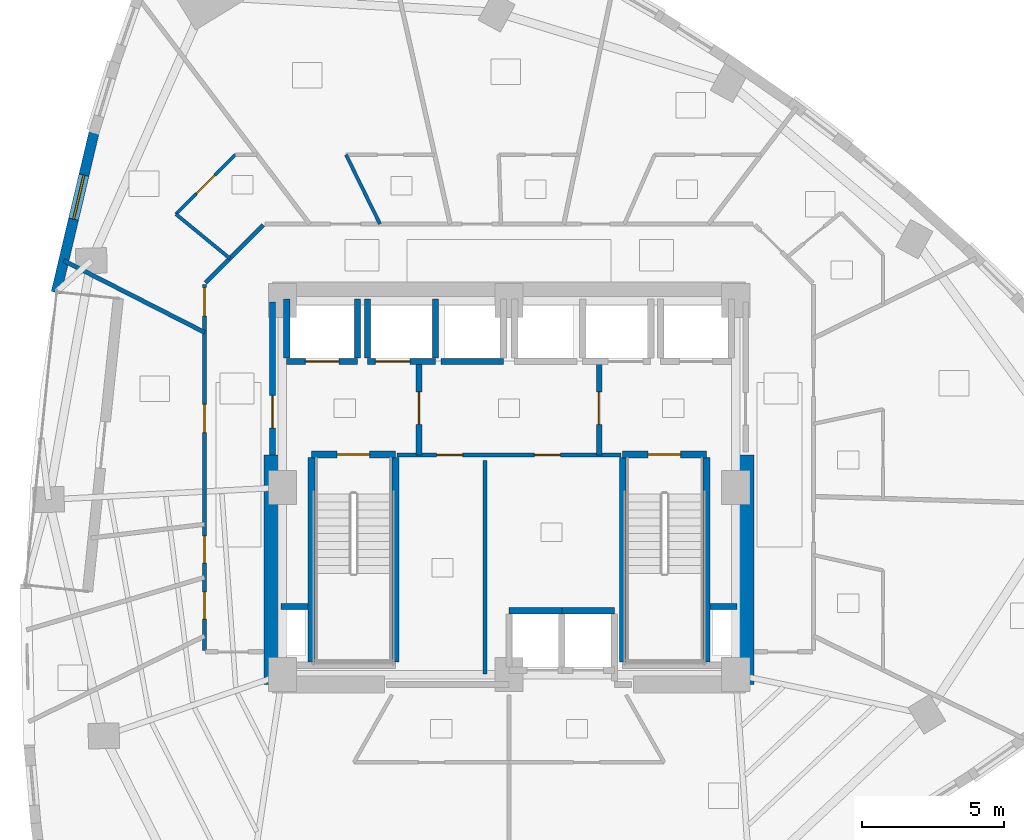
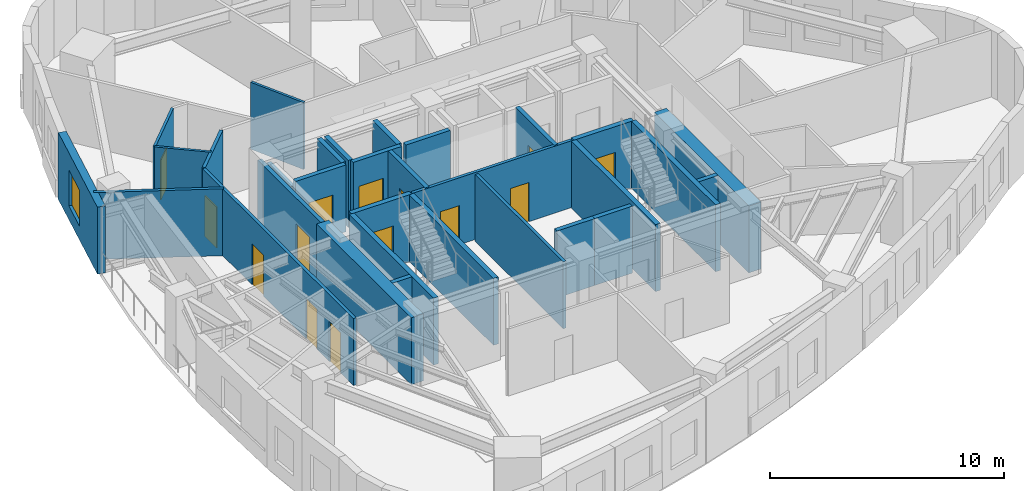
# One storey, part 6 of 12: 31 walls, 14 doors, 1 window, 15 openings.
"""IFC4 building model written with IfcOpenShell, lengths in metres."""

from ifc_helpers import new_model, si_unit, direction, frame, frame_2d, origin, place, context, subcontext, project, spatial, rectangle, extrude, material, layer, layer_set, type_object, element, fill, save


model = new_model("IFC4")

# Units and contexts
model_context = context("Model", 3, precision=1e-05, world=origin(), true_north=direction((0.0, 1.0)))
body_context = subcontext(model_context, "Body", "Model", "MODEL_VIEW")
ifc_project = project(units=[si_unit("LENGTHUNIT", "METRE"), si_unit("AREAUNIT", "SQUARE_METRE"), si_unit("VOLUMEUNIT", "CUBIC_METRE"), si_unit("PLANEANGLEUNIT", "RADIAN"), si_unit("MASSUNIT", "GRAM", prefix="KILO")], contexts=[model_context])

# Site, building, storey
site_placement = place(None, origin())
site = spatial("IfcSite", under=ifc_project, at=site_placement, CompositionType="ELEMENT")
building_placement = place(site_placement, origin())
building = spatial("IfcBuilding", under=site, at=building_placement, Name="Ndelora Gate Hotel", CompositionType="ELEMENT")
storey_placement = place(building_placement, frame((0.0, 0.0, 101.0)))
storey = spatial("IfcBuildingStorey", under=building, at=storey_placement, Name="L24", CompositionType="ELEMENT", Elevation=101.0)

# Wall, opening, window
ifc_material_1 = material(Name="Clay Brick Masonry", Category="masonry")
ifc_layer_1 = layer(ifc_material_1, 0.360107421875)
ifc_layer_set_1 = layer_set([ifc_layer_1], Name="Clay Brick Masonry")
wall_type_1 = type_object("IfcWallType", Name="WL-BRICK-360", PredefinedType="SOLIDWALL", material=ifc_layer_set_1)
wall_1_placement = place(storey_placement, frame((-15.98681640625, 6.884033203125, 0.0), z_axis=(0.0, 0.0, 1.0), x_axis=(0.229945366281, 0.973203539105, 0.0)))
wall_1 = element("IfcWall", 1, at=wall_1_placement, inside=storey, type_object=wall_type_1, Name="L24 Tower Brick Pier-and-Spandrel Wall TWR-11", PredefinedType="SOLIDWALL", context=body_context, shape_type="SweptSolid", body=[
    extrude(rectangle(XDim=5.826904296875, YDim=0.360107421875, at=frame_2d((2.91357421875, 0.0))), origin(), (0.0, 0.0, 1.0), 3.5),
])
opening_1_placement = place(wall_1_placement, frame((2.659912109375, 0.0, 0.719970703125)))
opening_1 = element("IfcOpeningElement", 2, at=opening_1_placement, cuts=wall_1, Name="Opening W01", PredefinedType="OPENING", context=body_context, shape_type="SweptSolid", body=[
    extrude(rectangle(XDim=1.60009765625, YDim=1.8798828125, at=frame_2d((0.800048828125, 0.93994140625))), frame((0.0, 0.18994140625, 0.0), z_axis=(0.0, -1.0, 0.0), x_axis=(1.0, 0.0, 0.0)), (0.0, 0.0, 1.0), 0.380126953125),
])
ifc_material_2 = material(Name="Insulated Low-E Double Glazing in Bronze Aluminium Frame", Category="aluminium")
window_type = type_object("IfcWindowType", Name="WN-DEEP-1600", PartitioningType="SINGLE_PANEL", PredefinedType="WINDOW", material=ifc_material_2)
window_placement = place(opening_1_placement, origin())
window = element("IfcWindow", 3, at=window_placement, inside=storey, type_object=window_type, Name="L24 Deep-Set Brick-Pier Window W01", OverallHeight=1.8798828125, OverallWidth=1.60009765625, PartitioningType="SINGLE_PANEL", PredefinedType="WINDOW", context=body_context, shape_type="SweptSolid", body=[
    extrude(rectangle(XDim=1.60009765625, YDim=1.8798828125, at=frame_2d((0.800048828125, 0.93994140625))), frame((0.0, 0.030029296875, 0.0), z_axis=(0.0, -1.0, 0.0), x_axis=(1.0, 0.0, 0.0)), (0.0, 0.0, 1.0), 0.06005859375),
])
fill(opening_1, window)

# Walls
ifc_material_3 = material(Name="Concrete C60/75", Category="concrete")
ifc_layer_2 = layer(ifc_material_3, 0.60009765625)
ifc_layer_set_2 = layer_set([ifc_layer_2], Name="Concrete C60/75")
wall_type_2 = type_object("IfcWallType", Name="WL-CORE-600", PredefinedType="SHEAR", material=ifc_layer_set_2)
for number, where, z_axis, x_axis, name in (
    (4, (-8.35009765625, -6.949951171875, 0.0), (0.0, 0.0, 1.0), (0.0, 1.0, 0.0), "L24 Core Shear Wall W"),
    (5, (8.35009765625, -6.949951171875, 0.0), (0.0, 0.0, 1.0), (0.0, 1.0, 0.0), "L24 Core Shear Wall E"),
):
    element("IfcWall", number, at=place(storey_placement, frame(where, z_axis=z_axis, x_axis=x_axis)), inside=storey, type_object=wall_type_2, Name=name, PredefinedType="SHEAR", context=body_context, shape_type="SweptSolid", body=[
        extrude(rectangle(XDim=8.099853515625, YDim=0.60009765625, at=frame_2d((4.0498046875, 0.0))), origin(), (0.0, 0.0, 1.0), 3.5),
    ])

# Wall, opening, door
ifc_material_4 = material(Name="Concrete C40/50", Category="concrete")
ifc_layer_3 = layer(ifc_material_4, 0.199951171875)
ifc_layer_set_3 = layer_set([ifc_layer_3], Name="Concrete C40/50")
wall_type_3 = type_object("IfcWallType", Name="WL-FIRE-200", PredefinedType="PARTITIONING", material=ifc_layer_set_3)
wall_2_placement = place(storey_placement, frame((-3.179931640625, 1.14990234375, 0.0), z_axis=(0.0, 0.0, 1.0), x_axis=(0.0, 1.0, 0.0)))
wall_2 = element("IfcWall", 6, at=wall_2_placement, inside=storey, type_object=wall_type_3, Name="L24 Interior Wall IW-2", PredefinedType="PARTITIONING", context=body_context, shape_type="SweptSolid", body=[
    extrude(rectangle(XDim=3.300048828125, YDim=0.199951171875, at=frame_2d((1.64990234375, 0.0))), origin(), (0.0, 0.0, 1.0), 3.5),
])
opening_2_placement = place(wall_2_placement, frame((1.080078125, 0.0, 0.0)))
opening_2 = element("IfcOpeningElement", 7, at=opening_2_placement, cuts=wall_2, Name="Opening FD1", PredefinedType="OPENING", context=body_context, shape_type="SweptSolid", body=[
    extrude(rectangle(XDim=1.14990234375, YDim=2.14990234375, at=frame_2d((0.574951171875, 1.074951171875))), frame((0.0, 0.10986328125, 0.0), z_axis=(0.0, -1.0, 0.0), x_axis=(1.0, 0.0, 0.0)), (0.0, 0.0, 1.0), 0.219970703125),
])
ifc_material_5 = material(Name="Fire-Rated Timber-Veneer Steel Core", Category="steel")
door_type_1 = type_object("IfcDoorType", Name="DR-FD60", OperationType="SINGLE_SWING_LEFT", PredefinedType="DOOR", material=ifc_material_5)
door_1_placement = place(opening_2_placement, origin())
door_1 = element("IfcDoor", 8, at=door_1_placement, inside=storey, type_object=door_type_1, Name="L24 Firefighting Lobby West Door", OperationType="SINGLE_SWING_RIGHT", OverallHeight=2.14990234375, OverallWidth=1.14990234375, PredefinedType="DOOR", context=body_context, shape_type="SweptSolid", body=[
    extrude(rectangle(XDim=1.14990234375, YDim=2.14990234375, at=frame_2d((0.574951171875, 1.074951171875))), frame((0.0, 0.02490234375, 0.0), z_axis=(0.0, -1.0, 0.0), x_axis=(1.0, 0.0, 0.0)), (0.0, 0.0, 1.0), 0.050048828125),
])
fill(opening_2, door_1)

wall_3_placement = place(storey_placement, frame((3.179931640625, 1.14990234375, 0.0), z_axis=(0.0, 0.0, 1.0), x_axis=(0.0, 1.0, 0.0)))
wall_3 = element("IfcWall", 9, at=wall_3_placement, inside=storey, type_object=wall_type_3, Name="L24 Interior Wall IW-2", PredefinedType="PARTITIONING", context=body_context, shape_type="SweptSolid", body=[
    extrude(rectangle(XDim=3.300048828125, YDim=0.199951171875, at=frame_2d((1.64990234375, 0.0))), origin(), (0.0, 0.0, 1.0), 3.5),
])
opening_3_placement = place(wall_3_placement, frame((1.080078125, 0.0, 0.0)))
opening_3 = element("IfcOpeningElement", 10, at=opening_3_placement, cuts=wall_3, Name="Opening FD1", PredefinedType="OPENING", context=body_context, shape_type="SweptSolid", body=[
    extrude(rectangle(XDim=1.14990234375, YDim=2.14990234375, at=frame_2d((0.574951171875, 1.074951171875))), frame((0.0, 0.10986328125, 0.0), z_axis=(0.0, -1.0, 0.0), x_axis=(1.0, 0.0, 0.0)), (0.0, 0.0, 1.0), 0.219970703125),
])
door_2_placement = place(opening_3_placement, origin())
door_2 = element("IfcDoor", 11, at=door_2_placement, inside=storey, type_object=door_type_1, Name="L24 Firefighting Lobby East Door", OperationType="SINGLE_SWING_LEFT", OverallHeight=2.14990234375, OverallWidth=1.14990234375, PredefinedType="DOOR", context=body_context, shape_type="SweptSolid", body=[
    extrude(rectangle(XDim=1.14990234375, YDim=2.14990234375, at=frame_2d((0.574951171875, 1.074951171875))), frame((0.0, 0.02490234375, 0.0), z_axis=(0.0, -1.0, 0.0), x_axis=(1.0, 0.0, 0.0)), (0.0, 0.0, 1.0), 0.050048828125),
])
fill(opening_3, door_2)

wall_4_placement = place(storey_placement, frame((-8.35009765625, 1.14990234375, 0.0), z_axis=(0.0, 0.0, 1.0), x_axis=(0.0, 1.0, 0.0)))
wall_4 = element("IfcWall", 12, at=wall_4_placement, inside=storey, type_object=wall_type_3, Name="L24 Interior Wall IW-2", PredefinedType="PARTITIONING", context=body_context, shape_type="SweptSolid", body=[
    extrude(rectangle(XDim=5.400146484375, YDim=0.199951171875, at=frame_2d((2.7001953125, 0.0))), origin(), (0.0, 0.0, 1.0), 3.5),
])
opening_4_placement = place(wall_4_placement, frame((0.949951171875, 0.0, 0.0)))
opening_4 = element("IfcOpeningElement", 13, at=opening_4_placement, cuts=wall_4, Name="Opening FD1", PredefinedType="OPENING", context=body_context, shape_type="SweptSolid", body=[
    extrude(rectangle(XDim=1.14990234375, YDim=2.14990234375, at=frame_2d((0.574951171875, 1.074951171875))), frame((0.0, 0.10986328125, 0.0), z_axis=(0.0, -1.0, 0.0), x_axis=(1.0, 0.0, 0.0)), (0.0, 0.0, 1.0), 0.219970703125),
])
door_3_placement = place(opening_4_placement, origin())
door_3 = element("IfcDoor", 14, at=door_3_placement, inside=storey, type_object=door_type_1, Name="L24 Firefighting Lobby West Corridor Door", OperationType="SINGLE_SWING_LEFT", OverallHeight=2.14990234375, OverallWidth=1.14990234375, PredefinedType="DOOR", context=body_context, shape_type="SweptSolid", body=[
    extrude(rectangle(XDim=1.14990234375, YDim=2.14990234375, at=frame_2d((0.574951171875, 1.074951171875))), frame((0.0, 0.02490234375, 0.0), z_axis=(0.0, -1.0, 0.0), x_axis=(1.0, 0.0, 0.0)), (0.0, 0.0, 1.0), 0.050048828125),
])
fill(opening_4, door_3)

# Wall, openings, doors
ifc_material_6 = material(Name="Fire-Rated Gypsum Stud Partition", Category="gypsum")
ifc_layer_4 = layer(ifc_material_6, 0.14990234375)
ifc_layer_set_4 = layer_set([ifc_layer_4], Name="Fire-Rated Gypsum Stud Partition")
wall_type_4 = type_object("IfcWallType", Name="WL-PART-150", PredefinedType="PARTITIONING", material=ifc_layer_set_4)
wall_5_placement = place(storey_placement, frame((3.949951171875, 1.14990234375, 0.0), z_axis=(0.0, 0.0, 1.0), x_axis=(-1.0, 0.0, 0.0)))
wall_5 = element("IfcWall", 15, at=wall_5_placement, inside=storey, type_object=wall_type_4, Name="L24 Interior Wall IW-5", PredefinedType="PARTITIONING", context=body_context, shape_type="SweptSolid", body=[
    extrude(rectangle(XDim=7.89990234375, YDim=0.14990234375, at=frame_2d((3.949951171875, 0.0))), origin(), (0.0, 0.0, 1.0), 3.5),
])
opening_5_placement = place(wall_5_placement, frame((5.590087890625, 0.0, 0.0)))
opening_5 = element("IfcOpeningElement", 16, at=opening_5_placement, cuts=wall_5, Name="Opening D04", PredefinedType="OPENING", context=body_context, shape_type="SweptSolid", body=[
    extrude(rectangle(XDim=0.919921875, YDim=2.050048828125, at=frame_2d((0.4599609375, 1.02490234375))), frame((0.0, 0.0849609375, 0.0), z_axis=(0.0, -1.0, 0.0), x_axis=(1.0, 0.0, 0.0)), (0.0, 0.0, 1.0), 0.169921875),
])
opening_6_placement = place(wall_5_placement, frame((2.139892578125, 0.0, 0.0)))
opening_6 = element("IfcOpeningElement", 17, at=opening_6_placement, cuts=wall_5, Name="Opening D04", PredefinedType="OPENING", context=body_context, shape_type="SweptSolid", body=[
    extrude(rectangle(XDim=0.919921875, YDim=2.050048828125, at=frame_2d((0.4599609375, 1.02490234375))), frame((0.0, 0.0849609375, 0.0), z_axis=(0.0, -1.0, 0.0), x_axis=(1.0, 0.0, 0.0)), (0.0, 0.0, 1.0), 0.169921875),
])
ifc_material_7 = material(Name="Painted Steel Core Service Door", Category="steel")
door_type_2 = type_object("IfcDoorType", Name="DR-SER-920", OperationType="SINGLE_SWING_LEFT", PredefinedType="DOOR", material=ifc_material_7)
door_4_placement = place(opening_5_placement, origin())
door_4 = element("IfcDoor", 18, at=door_4_placement, inside=storey, type_object=door_type_2, Name="L24 Core Electrical Switchroom Door", OperationType="SINGLE_SWING_LEFT", OverallHeight=2.050048828125, OverallWidth=0.919921875, PredefinedType="DOOR", context=body_context, shape_type="SweptSolid", body=[
    extrude(rectangle(XDim=0.919921875, YDim=2.050048828125, at=frame_2d((0.4599609375, 1.02490234375))), frame((0.0, 0.02490234375, 0.0), z_axis=(0.0, -1.0, 0.0), x_axis=(1.0, 0.0, 0.0)), (0.0, 0.0, 1.0), 0.050048828125),
])
fill(opening_5, door_4)
door_5_placement = place(opening_6_placement, origin())
door_5 = element("IfcDoor", 19, at=door_5_placement, inside=storey, type_object=door_type_2, Name="L24 Central Linen Equipment Store Door", OperationType="SINGLE_SWING_RIGHT", OverallHeight=2.050048828125, OverallWidth=0.919921875, PredefinedType="DOOR", context=body_context, shape_type="SweptSolid", body=[
    extrude(rectangle(XDim=0.919921875, YDim=2.050048828125, at=frame_2d((0.4599609375, 1.02490234375))), frame((0.0, 0.02490234375, 0.0), z_axis=(0.0, -1.0, 0.0), x_axis=(1.0, 0.0, 0.0)), (0.0, 0.0, 1.0), 0.050048828125),
])
fill(opening_6, door_5)

# Walls
wall_6_placement = place(storey_placement, frame((-0.85009765625, -6.580078125, 0.0), z_axis=(0.0, 0.0, 1.0), x_axis=(0.0, 1.0, 0.0)))
element("IfcWall", 20, at=wall_6_placement, inside=storey, type_object=wall_type_4, Name="L24 Interior Wall IW-5", PredefinedType="PARTITIONING", context=body_context, shape_type="SweptSolid", body=[
    extrude(rectangle(XDim=7.530029296875, YDim=0.14990234375, at=frame_2d((3.76513671875, 0.0))), origin(), (0.0, 0.0, 1.0), 3.5),
])
wall_7_placement = place(storey_placement, frame((-10.7216796875, 7.228271484375, 0.0), z_axis=(0.0, 0.0, 1.0), x_axis=(0.707106781187, 0.707106781187, 0.0)))
element("IfcWall", 21, at=wall_7_placement, inside=storey, type_object=wall_type_4, Name="L24 Interior Wall IW-5", PredefinedType="PARTITIONING", context=body_context, shape_type="SweptSolid", body=[
    extrude(rectangle(XDim=2.889892578125, YDim=0.14990234375, at=frame_2d((1.44482421875, 0.0))), origin(), (0.0, 0.0, 1.0), 3.5),
])

# Wall, openings, doors
wall_8_placement = place(storey_placement, frame((-10.75, -5.760009765625, 0.0), z_axis=(0.0, 0.0, 1.0), x_axis=(0.0, 1.0, 0.0)))
wall_8 = element("IfcWall", 22, at=wall_8_placement, inside=storey, type_object=wall_type_4, Name="L24 Interior Wall IW-5", PredefinedType="PARTITIONING", context=body_context, shape_type="SweptSolid", body=[
    extrude(rectangle(XDim=12.919921875, YDim=0.14990234375, at=frame_2d((6.4599609375, 0.0))), origin(), (0.0, 0.0, 1.0), 3.5),
])
opening_7_placement = place(wall_8_placement, frame((3.096435546875, 0.0, 0.0)))
opening_7 = element("IfcOpeningElement", 23, at=opening_7_placement, cuts=wall_8, Name="Opening D05", PredefinedType="OPENING", context=body_context, shape_type="SweptSolid", body=[
    extrude(rectangle(XDim=0.949951171875, YDim=2.10009765625, at=frame_2d((0.47509765625, 1.050048828125))), frame((0.0, 0.0849609375, 0.0), z_axis=(0.0, -1.0, 0.0), x_axis=(1.0, 0.0, 0.0)), (0.0, 0.0, 1.0), 0.169921875),
])
opening_8_placement = place(wall_8_placement, frame((1.1181640625, 0.0, 0.0)))
opening_8 = element("IfcOpeningElement", 24, at=opening_8_placement, cuts=wall_8, Name="Opening D05", PredefinedType="OPENING", context=body_context, shape_type="SweptSolid", body=[
    extrude(rectangle(XDim=0.949951171875, YDim=2.10009765625, at=frame_2d((0.47509765625, 1.050048828125))), frame((0.0, 0.0849609375, 0.0), z_axis=(0.0, -1.0, 0.0), x_axis=(1.0, 0.0, 0.0)), (0.0, 0.0, 1.0), 0.169921875),
])
opening_9_placement = place(wall_8_placement, frame((7.69921875, 0.0, 0.0)))
opening_9 = element("IfcOpeningElement", 25, at=opening_9_placement, cuts=wall_8, Name="Opening D01", PredefinedType="OPENING", context=body_context, shape_type="SweptSolid", body=[
    extrude(rectangle(XDim=1.0, YDim=2.14990234375, at=frame_2d((0.5, 1.074951171875))), frame((0.0, 0.0849609375, 0.0), z_axis=(0.0, -1.0, 0.0), x_axis=(1.0, 0.0, 0.0)), (0.0, 0.0, 1.0), 0.169921875),
])
opening_10_placement = place(wall_8_placement, frame((11.818603515625, 0.0, 0.0)))
opening_10 = element("IfcOpeningElement", 26, at=opening_10_placement, cuts=wall_8, Name="Opening D01", PredefinedType="OPENING", context=body_context, shape_type="SweptSolid", body=[
    extrude(rectangle(XDim=1.0, YDim=2.14990234375, at=frame_2d((0.5, 1.074951171875))), frame((0.0, 0.0849609375, 0.0), z_axis=(0.0, -1.0, 0.0), x_axis=(1.0, 0.0, 0.0)), (0.0, 0.0, 1.0), 0.169921875),
])
ifc_material_8 = material(Name="Accessible Restroom Wide-Clearance Door", Category="wood")
door_type_3 = type_object("IfcDoorType", Name="DR-ACC-950", OperationType="SINGLE_SWING_LEFT", PredefinedType="DOOR", material=ifc_material_8)
door_6_placement = place(opening_7_placement, origin())
door_6 = element("IfcDoor", 27, at=door_6_placement, inside=storey, type_object=door_type_3, Name="L24 Accessible WC Entrance Door", OperationType="SINGLE_SWING_RIGHT", OverallHeight=2.10009765625, OverallWidth=0.949951171875, PredefinedType="DOOR", context=body_context, shape_type="SweptSolid", body=[
    extrude(rectangle(XDim=0.949951171875, YDim=2.10009765625, at=frame_2d((0.47509765625, 1.050048828125))), frame((0.0, 0.02490234375, 0.0), z_axis=(0.0, -1.0, 0.0), x_axis=(1.0, 0.0, 0.0)), (0.0, 0.0, 1.0), 0.050048828125),
])
fill(opening_7, door_6)
door_7_placement = place(opening_8_placement, origin())
door_7 = element("IfcDoor", 28, at=door_7_placement, inside=storey, type_object=door_type_3, Name="L24 Female Public Restroom Entrance Door", OperationType="SINGLE_SWING_LEFT", OverallHeight=2.10009765625, OverallWidth=0.949951171875, PredefinedType="DOOR", context=body_context, shape_type="SweptSolid", body=[
    extrude(rectangle(XDim=0.949951171875, YDim=2.10009765625, at=frame_2d((0.47509765625, 1.050048828125))), frame((0.0, 0.02490234375, 0.0), z_axis=(0.0, -1.0, 0.0), x_axis=(1.0, 0.0, 0.0)), (0.0, 0.0, 1.0), 0.050048828125),
])
fill(opening_8, door_7)
ifc_material_9 = material(Name="Acoustic Hardwood Guest Entrance Door", Category="wood")
door_type_4 = type_object("IfcDoorType", Name="DR-COR-1000", OperationType="SINGLE_SWING_LEFT", PredefinedType="DOOR", material=ifc_material_9)
door_8_placement = place(opening_9_placement, origin())
door_8 = element("IfcDoor", 29, at=door_8_placement, inside=storey, type_object=door_type_4, Name="L24 Sky Garden Tea Dining Room Entrance Door", OperationType="SINGLE_SWING_LEFT", OverallHeight=2.14990234375, OverallWidth=1.0, PredefinedType="DOOR", context=body_context, shape_type="SweptSolid", body=[
    extrude(rectangle(XDim=1.0, YDim=2.14990234375, at=frame_2d((0.5, 1.074951171875))), frame((0.0, 0.02490234375, 0.0), z_axis=(0.0, -1.0, 0.0), x_axis=(1.0, 0.0, 0.0)), (0.0, 0.0, 1.0), 0.050048828125),
])
fill(opening_9, door_8)
door_9_placement = place(opening_10_placement, origin())
door_9 = element("IfcDoor", 30, at=door_9_placement, inside=storey, type_object=door_type_4, Name="L24 Club King Guest Room 2709 Entrance Door", OperationType="SINGLE_SWING_LEFT", OverallHeight=2.14990234375, OverallWidth=1.0, PredefinedType="DOOR", context=body_context, shape_type="SweptSolid", body=[
    extrude(rectangle(XDim=1.0, YDim=2.14990234375, at=frame_2d((0.5, 1.074951171875))), frame((0.0, 0.02490234375, 0.0), z_axis=(0.0, -1.0, 0.0), x_axis=(1.0, 0.0, 0.0)), (0.0, 0.0, 1.0), 0.050048828125),
])
fill(opening_10, door_9)

# Walls
wall_9_placement = place(storey_placement, frame((-10.75, 5.478271484375, 0.0), z_axis=(0.0, 0.0, 1.0), x_axis=(-0.890978705021, 0.454045093796, 0.0)))
element("IfcWall", 31, at=wall_9_placement, inside=storey, type_object=wall_type_4, Name="L24 Interior Wall IW-5", PredefinedType="PARTITIONING", context=body_context, shape_type="SweptSolid", body=[
    extrude(rectangle(XDim=5.57861328125, YDim=0.14990234375, at=frame_2d((2.789306640625, 0.0))), origin(), (0.0, 0.0, 1.0), 3.5),
])
ifc_layer_5 = layer(ifc_material_4, 0.219970703125)
ifc_layer_set_5 = layer_set([ifc_layer_5], Name="Concrete C40/50")
wall_type_5 = type_object("IfcWallType", Name="WL-SHAFT-220", PredefinedType="PARTITIONING", material=ifc_layer_set_5)
for number, where, z_axis, x_axis, name in (
    (32, (-8.050048828125, -4.199951171875, 0.0), (0.0, 0.0, 1.0), (1.0, 0.0, 0.0), "L24 Interior Wall IW-1"),
    (33, (7.090087890625, -4.199951171875, 0.0), (0.0, 0.0, 1.0), (1.0, 0.0, 0.0), "L24 Interior Wall IW-1"),
):
    element("IfcWall", number, at=place(storey_placement, frame(where, z_axis=z_axis, x_axis=x_axis)), inside=storey, type_object=wall_type_5, Name=name, PredefinedType="PARTITIONING", context=body_context, shape_type="SweptSolid", body=[
        extrude(rectangle(XDim=0.9599609375, YDim=0.219970703125, at=frame_2d((0.47998046875, 0.0))), origin(), (0.0, 0.0, 1.0), 3.5),
    ])

# Wall, opening, door
wall_10_placement = place(storey_placement, frame((-7.85009765625, 4.449951171875, 0.0), z_axis=(0.0, 0.0, 1.0), x_axis=(1.0, 0.0, 0.0)))
wall_10 = element("IfcWall", 34, at=wall_10_placement, inside=storey, type_object=wall_type_5, Name="L24 Interior Wall IW-1", PredefinedType="PARTITIONING", context=body_context, shape_type="SweptSolid", body=[
    extrude(rectangle(XDim=2.5, YDim=0.219970703125, at=frame_2d((1.25, 0.0))), origin(), (0.0, 0.0, 1.0), 3.5),
])
opening_11_placement = place(wall_10_placement, frame((0.659912109375, 0.0, 0.0)))
opening_11 = element("IfcOpeningElement", 35, at=opening_11_placement, cuts=wall_10, Name="Opening LD5", PredefinedType="OPENING", context=body_context, shape_type="SweptSolid", body=[
    extrude(rectangle(XDim=1.179931640625, YDim=2.14990234375, at=frame_2d((0.58984375, 1.074951171875))), frame((0.0, 0.1201171875, 0.0), z_axis=(0.0, -1.0, 0.0), x_axis=(1.0, 0.0, 0.0)), (0.0, 0.0, 1.0), 0.239990234375),
])
ifc_material_10 = material(Name="Firefighting Lift Stainless Sliding Landing Door", Category="metal")
door_type_5 = type_object("IfcDoorType", Name="DR-LD5", OperationType="DOUBLE_DOOR_SLIDING", PredefinedType="DOOR", material=ifc_material_10)
door_10_placement = place(opening_11_placement, origin())
door_10 = element("IfcDoor", 36, at=door_10_placement, inside=storey, type_object=door_type_5, Name="L24 Lift Landing Sliding Door FFL1", OperationType="DOUBLE_DOOR_SLIDING", OverallHeight=2.14990234375, OverallWidth=1.179931640625, PredefinedType="DOOR", context=body_context, shape_type="SweptSolid", body=[
    extrude(rectangle(XDim=1.179931640625, YDim=2.14990234375, at=frame_2d((0.58984375, 1.074951171875))), frame((0.0, 0.02490234375, 0.0), z_axis=(0.0, -1.0, 0.0), x_axis=(1.0, 0.0, 0.0)), (0.0, 0.0, 1.0), 0.050048828125),
])
fill(opening_11, door_10)

# Walls
wall_11_placement = place(storey_placement, frame((-7.85009765625, 4.570068359375, 0.0), z_axis=(0.0, 0.0, 1.0), x_axis=(0.0, 1.0, 0.0)))
element("IfcWall", 37, at=wall_11_placement, inside=storey, type_object=wall_type_5, Name="L24 Interior Wall IW-1", PredefinedType="PARTITIONING", context=body_context, shape_type="SweptSolid", body=[
    extrude(rectangle(XDim=2.079833984375, YDim=0.219970703125, at=frame_2d((1.0400390625, 0.0))), origin(), (0.0, 0.0, 1.0), 3.1201171875),
])
wall_12_placement = place(storey_placement, frame((-5.35009765625, 4.570068359375, 0.0), z_axis=(0.0, 0.0, 1.0), x_axis=(0.0, 1.0, 0.0)))
element("IfcWall", 38, at=wall_12_placement, inside=storey, type_object=wall_type_5, Name="L24 Interior Wall IW-1", PredefinedType="PARTITIONING", context=body_context, shape_type="SweptSolid", body=[
    extrude(rectangle(XDim=2.079833984375, YDim=0.219970703125, at=frame_2d((1.0400390625, 0.0))), origin(), (0.0, 0.0, 1.0), 3.5),
])

# Wall, opening, door
wall_13_placement = place(storey_placement, frame((-5.0, 4.449951171875, 0.0), z_axis=(0.0, 0.0, 1.0), x_axis=(1.0, 0.0, 0.0)))
wall_13 = element("IfcWall", 39, at=wall_13_placement, inside=storey, type_object=wall_type_5, Name="L24 Interior Wall IW-1", PredefinedType="PARTITIONING", context=body_context, shape_type="SweptSolid", body=[
    extrude(rectangle(XDim=2.39990234375, YDim=0.219970703125, at=frame_2d((1.199951171875, 0.0))), origin(), (0.0, 0.0, 1.0), 3.5),
])
opening_12_placement = place(wall_13_placement, frame((0.280029296875, 0.0, 0.0)))
opening_12 = element("IfcOpeningElement", 40, at=opening_12_placement, cuts=wall_13, Name="Opening LD6", PredefinedType="OPENING", context=body_context, shape_type="SweptSolid", body=[
    extrude(rectangle(XDim=1.219970703125, YDim=2.14990234375, at=frame_2d((0.60986328125, 1.074951171875))), frame((0.0, 0.1201171875, 0.0), z_axis=(0.0, -1.0, 0.0), x_axis=(1.0, 0.0, 0.0)), (0.0, 0.0, 1.0), 0.239990234375),
])
ifc_material_11 = material(Name="Heavy-Duty Service Lift Sliding Landing Door", Category="wood")
door_type_6 = type_object("IfcDoorType", Name="DR-LD6", OperationType="DOUBLE_DOOR_SLIDING", PredefinedType="DOOR", material=ifc_material_11)
door_11_placement = place(opening_12_placement, origin())
door_11 = element("IfcDoor", 41, at=door_11_placement, inside=storey, type_object=door_type_6, Name="L24 Lift Landing Sliding Door SVL1", OperationType="DOUBLE_DOOR_SLIDING", OverallHeight=2.14990234375, OverallWidth=1.219970703125, PredefinedType="DOOR", context=body_context, shape_type="SweptSolid", body=[
    extrude(rectangle(XDim=1.219970703125, YDim=2.14990234375, at=frame_2d((0.60986328125, 1.074951171875))), frame((0.0, 0.02490234375, 0.0), z_axis=(0.0, -1.0, 0.0), x_axis=(1.0, 0.0, 0.0)), (0.0, 0.0, 1.0), 0.050048828125),
])
fill(opening_12, door_11)

# Walls
for number, where, z_axis, x_axis, name in (
    (42, (-5.0, 4.570068359375, 0.0), (0.0, 0.0, 1.0), (0.0, 1.0, 0.0), "L24 Interior Wall IW-1"),
    (43, (-2.60009765625, 4.570068359375, 0.0), (0.0, 0.0, 1.0), (0.0, 1.0, 0.0), "L24 Interior Wall IW-1"),
):
    element("IfcWall", number, at=place(storey_placement, frame(where, z_axis=z_axis, x_axis=x_axis)), inside=storey, type_object=wall_type_5, Name=name, PredefinedType="PARTITIONING", context=body_context, shape_type="SweptSolid", body=[
        extrude(rectangle(XDim=2.079833984375, YDim=0.219970703125, at=frame_2d((1.0400390625, 0.0))), origin(), (0.0, 0.0, 1.0), 3.5),
    ])
wall_14_placement = place(storey_placement, frame((0.0, -4.35009765625, 0.0), z_axis=(0.0, 0.0, 1.0), x_axis=(1.0, 0.0, 0.0)))
element("IfcWall", 44, at=wall_14_placement, inside=storey, type_object=wall_type_5, Name="L24 Interior Wall IW-1", PredefinedType="PARTITIONING", context=body_context, shape_type="SweptSolid", body=[
    extrude(rectangle(XDim=1.860107421875, YDim=0.219970703125, at=frame_2d((0.93017578125, 0.0))), origin(), (0.0, 0.0, 1.0), 3.5),
])
wall_15_placement = place(storey_placement, frame((1.860107421875, -4.35009765625, 0.0), z_axis=(0.0, 0.0, 1.0), x_axis=(1.0, 0.0, 0.0)))
element("IfcWall", 45, at=wall_15_placement, inside=storey, type_object=wall_type_5, Name="L24 Interior Wall IW-1", PredefinedType="PARTITIONING", context=body_context, shape_type="SweptSolid", body=[
    extrude(rectangle(XDim=1.85986328125, YDim=0.219970703125, at=frame_2d((0.929931640625, 0.0))), origin(), (0.0, 0.0, 1.0), 3.5),
])
wall_16_placement = place(storey_placement, frame((-2.39990234375, 4.449951171875, 0.0), z_axis=(0.0, 0.0, 1.0), x_axis=(1.0, 0.0, 0.0)))
element("IfcWall", 46, at=wall_16_placement, inside=storey, type_object=wall_type_5, Name="L24 Interior Wall IW-1", PredefinedType="PARTITIONING", context=body_context, shape_type="SweptSolid", body=[
    extrude(rectangle(XDim=2.199951171875, YDim=0.219970703125, at=frame_2d((1.10009765625, 0.0))), origin(), (0.0, 0.0, 1.0), 3.5),
])
ifc_material_12 = material(Name="Concrete C50/60", Category="concrete")
ifc_layer_6 = layer(ifc_material_12, 0.239990234375)
ifc_layer_set_6 = layer_set([ifc_layer_6], Name="Concrete C50/60")
wall_type_6 = type_object("IfcWallType", Name="WL-STAIR-240", PredefinedType="SHEAR", material=ifc_layer_set_6)
for number, where, z_axis, x_axis, name in (
    (47, (-6.969970703125, -6.159912109375, 0.0), (0.0, 0.0, 1.0), (0.0, 1.0, 0.0), "L24 Stair Core Shear Wall SW-ST"),
    (48, (-4.010009765625, -6.159912109375, 0.0), (0.0, 0.0, 1.0), (0.0, 1.0, 0.0), "L24 Stair Core Shear Wall SW-ST"),
):
    element("IfcWall", number, at=place(storey_placement, frame(where, z_axis=z_axis, x_axis=x_axis)), inside=storey, type_object=wall_type_6, Name=name, PredefinedType="SHEAR", context=body_context, shape_type="SweptSolid", body=[
        extrude(rectangle(XDim=7.219970703125, YDim=0.239990234375, at=frame_2d((3.60986328125, 0.0))), origin(), (0.0, 0.0, 1.0), 3.5),
    ])

# Wall, opening, door
wall_17_placement = place(storey_placement, frame((-6.969970703125, 1.169921875, 0.0), z_axis=(0.0, 0.0, 1.0), x_axis=(1.0, 0.0, 0.0)))
wall_17 = element("IfcWall", 49, at=wall_17_placement, inside=storey, type_object=wall_type_6, Name="L24 Stair Core Shear Wall SW-ST", PredefinedType="SHEAR", context=body_context, shape_type="SweptSolid", body=[
    extrude(rectangle(XDim=2.9599609375, YDim=0.239990234375, at=frame_2d((1.47998046875, 0.0))), origin(), (0.0, 0.0, 1.0), 3.5),
])
opening_13_placement = place(wall_17_placement, frame((0.89990234375, 0.0, 0.0)))
opening_13 = element("IfcOpeningElement", 50, at=opening_13_placement, cuts=wall_17, Name="Opening FD1", PredefinedType="OPENING", context=body_context, shape_type="SweptSolid", body=[
    extrude(rectangle(XDim=1.14990234375, YDim=2.14990234375, at=frame_2d((0.574951171875, 1.074951171875))), frame((0.0, 0.1298828125, 0.0), z_axis=(0.0, -1.0, 0.0), x_axis=(1.0, 0.0, 0.0)), (0.0, 0.0, 1.0), 0.260009765625),
])
door_12_placement = place(opening_13_placement, origin())
door_12 = element("IfcDoor", 51, at=door_12_placement, inside=storey, type_object=door_type_1, Name="L24 Exit Stair ST4 Door", OperationType="SINGLE_SWING_LEFT", OverallHeight=2.14990234375, OverallWidth=1.14990234375, PredefinedType="DOOR", context=body_context, shape_type="SweptSolid", body=[
    extrude(rectangle(XDim=1.14990234375, YDim=2.14990234375, at=frame_2d((0.574951171875, 1.074951171875))), frame((0.0, 0.02490234375, 0.0), z_axis=(0.0, -1.0, 0.0), x_axis=(1.0, 0.0, 0.0)), (0.0, 0.0, 1.0), 0.050048828125),
])
fill(opening_13, door_12)

# Walls
for number, where, z_axis, x_axis, name in (
    (52, (4.010009765625, -6.159912109375, 0.0), (0.0, 0.0, 1.0), (0.0, 1.0, 0.0), "L24 Stair Core Shear Wall SW-ST"),
    (53, (6.969970703125, -6.159912109375, 0.0), (0.0, 0.0, 1.0), (0.0, 1.0, 0.0), "L24 Stair Core Shear Wall SW-ST"),
):
    element("IfcWall", number, at=place(storey_placement, frame(where, z_axis=z_axis, x_axis=x_axis)), inside=storey, type_object=wall_type_6, Name=name, PredefinedType="SHEAR", context=body_context, shape_type="SweptSolid", body=[
        extrude(rectangle(XDim=7.219970703125, YDim=0.239990234375, at=frame_2d((3.60986328125, 0.0))), origin(), (0.0, 0.0, 1.0), 3.5),
    ])

# Wall, opening, door
wall_18_placement = place(storey_placement, frame((4.010009765625, 1.169921875, 0.0), z_axis=(0.0, 0.0, 1.0), x_axis=(1.0, 0.0, 0.0)))
wall_18 = element("IfcWall", 54, at=wall_18_placement, inside=storey, type_object=wall_type_6, Name="L24 Stair Core Shear Wall SW-ST", PredefinedType="SHEAR", context=body_context, shape_type="SweptSolid", body=[
    extrude(rectangle(XDim=2.9599609375, YDim=0.239990234375, at=frame_2d((1.47998046875, 0.0))), origin(), (0.0, 0.0, 1.0), 3.5),
])
opening_14_placement = place(wall_18_placement, frame((0.89990234375, 0.0, 0.0)))
opening_14 = element("IfcOpeningElement", 55, at=opening_14_placement, cuts=wall_18, Name="Opening FD1", PredefinedType="OPENING", context=body_context, shape_type="SweptSolid", body=[
    extrude(rectangle(XDim=1.14990234375, YDim=2.14990234375, at=frame_2d((0.574951171875, 1.074951171875))), frame((0.0, 0.1298828125, 0.0), z_axis=(0.0, -1.0, 0.0), x_axis=(1.0, 0.0, 0.0)), (0.0, 0.0, 1.0), 0.260009765625),
])
door_13_placement = place(opening_14_placement, origin())
door_13 = element("IfcDoor", 56, at=door_13_placement, inside=storey, type_object=door_type_1, Name="L24 Exit Stair ST5 Door", OperationType="SINGLE_SWING_RIGHT", OverallHeight=2.14990234375, OverallWidth=1.14990234375, PredefinedType="DOOR", context=body_context, shape_type="SweptSolid", body=[
    extrude(rectangle(XDim=1.14990234375, YDim=2.14990234375, at=frame_2d((0.574951171875, 1.074951171875))), frame((0.0, 0.02490234375, 0.0), z_axis=(0.0, -1.0, 0.0), x_axis=(1.0, 0.0, 0.0)), (0.0, 0.0, 1.0), 0.050048828125),
])
fill(opening_14, door_13)

# Walls
ifc_material_13 = material(Name="Moisture-Resistant Bathroom Tile Partition", Category="gypsum")
ifc_layer_7 = layer(ifc_material_13, 0.1201171875)
ifc_layer_set_7 = layer_set([ifc_layer_7], Name="Moisture-Resistant Bathroom Tile Partition")
wall_type_7 = type_object("IfcWallType", Name="WL-WET-120", PredefinedType="PARTITIONING", material=ifc_layer_set_7)
wall_19_placement = place(storey_placement, frame((-5.756103515625, 11.75, 0.0), z_axis=(0.0, 0.0, 1.0), x_axis=(0.439932257938, -0.898030961841, 0.0)))
element("IfcWall", 57, at=wall_19_placement, inside=storey, type_object=wall_type_7, Name="L24 Interior Wall IW-7", PredefinedType="PARTITIONING", context=body_context, shape_type="SweptSolid", body=[
    extrude(rectangle(XDim=2.72802734375, YDim=0.1201171875, at=frame_2d((1.364013671875, 0.0))), origin(), (0.0, 0.0, 1.0), 3.5),
])
wall_20_placement = place(storey_placement, frame((-11.76220703125, 9.652587890625, 0.0), z_axis=(0.0, 0.0, 1.0), x_axis=(0.773019750399, -0.634381955523, 0.0)))
element("IfcWall", 58, at=wall_20_placement, inside=storey, type_object=wall_type_7, Name="L24 Interior Wall IW-7", PredefinedType="PARTITIONING", context=body_context, shape_type="SweptSolid", body=[
    extrude(rectangle(XDim=2.4619140625, YDim=0.1201171875, at=frame_2d((1.23095703125, 0.0))), origin(), (0.0, 0.0, 1.0), 3.5),
])

# Wall, opening, door
wall_21_placement = place(storey_placement, frame((-11.76220703125, 9.652587890625, 0.0), z_axis=(0.0, 0.0, 1.0), x_axis=(0.707106781187, 0.707106781187, 0.0)))
wall_21 = element("IfcWall", 59, at=wall_21_placement, inside=storey, type_object=wall_type_7, Name="L24 Interior Wall IW-7", PredefinedType="PARTITIONING", context=body_context, shape_type="SweptSolid", body=[
    extrude(rectangle(XDim=2.96630859375, YDim=0.1201171875, at=frame_2d((1.483154296875, 0.0))), origin(), (0.0, 0.0, 1.0), 3.5),
])
opening_15_placement = place(wall_21_placement, frame((1.023193359375, 0.0, 0.0)))
opening_15 = element("IfcOpeningElement", 60, at=opening_15_placement, cuts=wall_21, Name="Opening D03", PredefinedType="OPENING", context=body_context, shape_type="SweptSolid", body=[
    extrude(rectangle(XDim=0.919921875, YDim=2.10009765625, at=frame_2d((0.4599609375, 1.050048828125))), frame((0.0, 0.070068359375, 0.0), z_axis=(0.0, -1.0, 0.0), x_axis=(1.0, 0.0, 0.0)), (0.0, 0.0, 1.0), 0.14013671875),
])
ifc_material_14 = material(Name="Moisture-Resistant Hardwood En-Suite Door", Category="wood")
door_type_7 = type_object("IfcDoorType", Name="DR-BATH-920", OperationType="SINGLE_SWING_LEFT", PredefinedType="DOOR", material=ifc_material_14)
door_14_placement = place(opening_15_placement, origin())
door_14 = element("IfcDoor", 61, at=door_14_placement, inside=storey, type_object=door_type_7, Name="L24 En-suite Bathroom 2709 Door", OperationType="SINGLE_SWING_RIGHT", OverallHeight=2.10009765625, OverallWidth=0.919921875, PredefinedType="DOOR", context=body_context, shape_type="SweptSolid", body=[
    extrude(rectangle(XDim=0.919921875, YDim=2.10009765625, at=frame_2d((0.4599609375, 1.050048828125))), frame((0.0, 0.02490234375, 0.0), z_axis=(0.0, -1.0, 0.0), x_axis=(1.0, 0.0, 0.0)), (0.0, 0.0, 1.0), 0.050048828125),
])
fill(opening_15, door_14)

save(model, "model.ifc")
